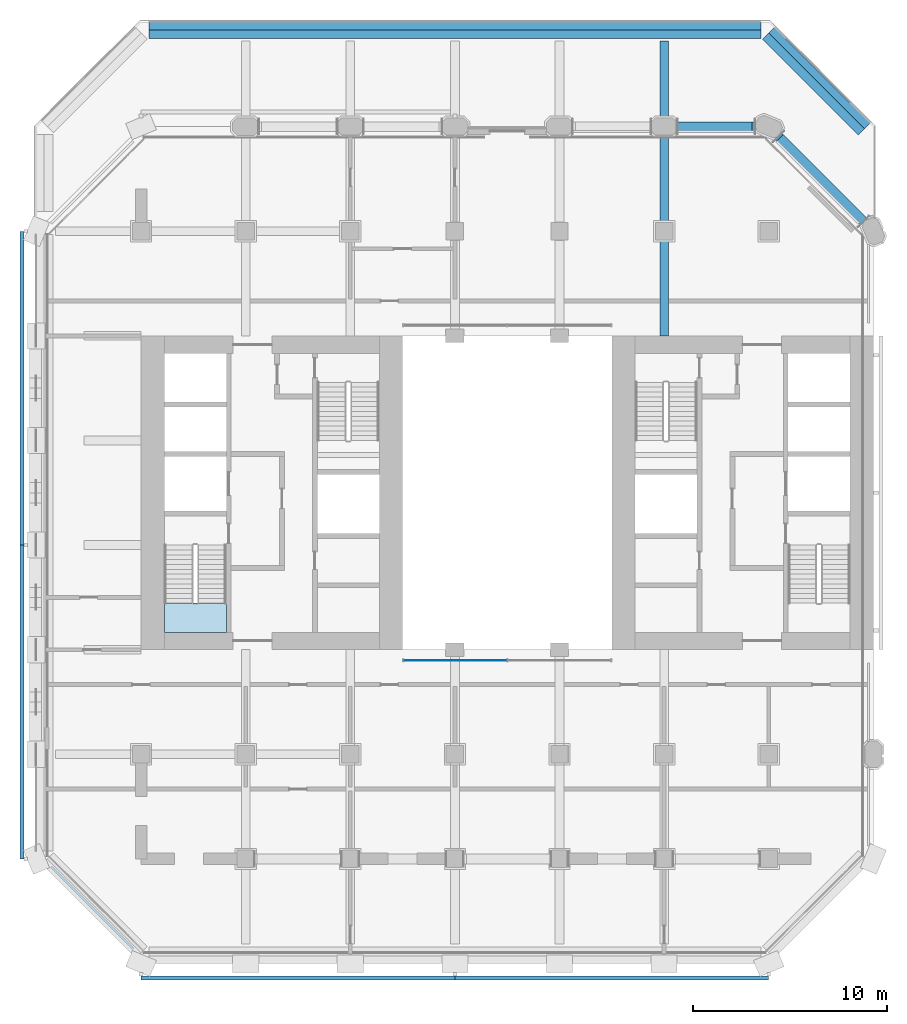
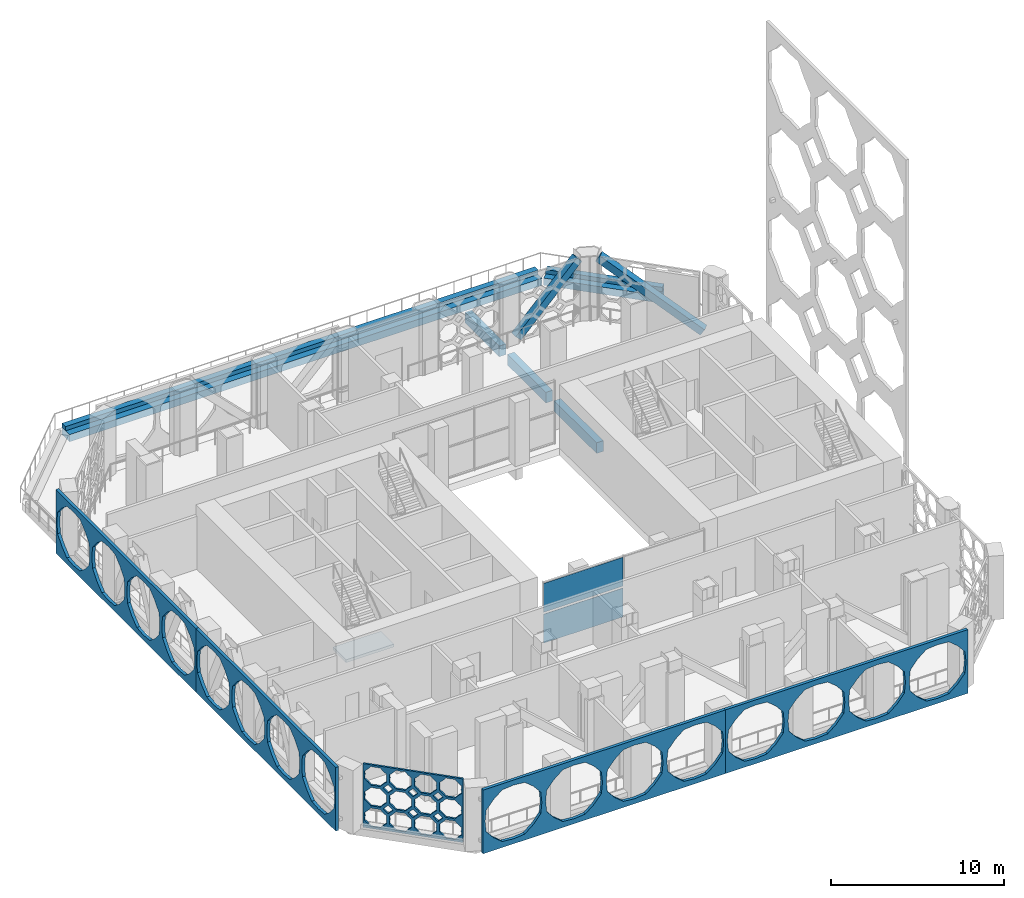
# One storey, part 5 of 17: 7 beams, 7 plates, 2 members, 1 slab, 2 elements without a shape of their own.
"""IFC4 building model written with IfcOpenShell, lengths in metres."""

from ifc_helpers import new_model, si_unit, direction, frame, origin, origin_2d, place, context, subcontext, project, spatial, polyline, rectangle, outline, extrude, material, layer, layer_set, material_profile, profile_set, type_object, element, aggregate, save


model = new_model("IFC4")

# Units and contexts
model_context = context("Model", 3, precision=1e-05, world=origin(), true_north=direction((0.0, 1.0)))
body_context = subcontext(model_context, "Body", "Model", "MODEL_VIEW")
ifc_project = project(units=[si_unit("LENGTHUNIT", "METRE"), si_unit("AREAUNIT", "SQUARE_METRE"), si_unit("VOLUMEUNIT", "CUBIC_METRE"), si_unit("PLANEANGLEUNIT", "RADIAN"), si_unit("MASSUNIT", "GRAM", prefix="KILO")], contexts=[model_context])

# Site, building, storey
site_placement = place(None, origin())
site = spatial("IfcSite", under=ifc_project, at=site_placement, CompositionType="ELEMENT")
building_placement = place(site_placement, origin())
building = spatial("IfcBuilding", under=site, at=building_placement, Name="Tabaq Tower and Sports Hall", CompositionType="ELEMENT")
storey_placement = place(building_placement, frame((0.0, 0.0, 125.800048828125)))
storey = spatial("IfcBuildingStorey", under=building, at=storey_placement, Name="L30", CompositionType="ELEMENT", Elevation=125.800048828125)

# Beams
ifc_material_1 = material(Name="Concrete C40/50", Category="concrete")
ifc_material_profile_1 = material_profile(ifc_material_1, rectangle(XDim=0.449951171875, YDim=0.75, at=origin_2d()), Name="CB 450x750")
ifc_profile_set_1 = profile_set([ifc_material_profile_1], Name="Concrete C40/50")
beam_type_1 = type_object("IfcBeamType", Name="PT CANTILEVER BEAM CB 450x750 C40/50", PredefinedType="BEAM", material=ifc_profile_set_1)
beam_1_placement = place(storey_placement, frame((32.39990234375, 47.625, -0.875), z_axis=(0.0, -1.0, 0.0), x_axis=(1.0, 0.0, 0.0)))
element("IfcBeam", 1, at=beam_1_placement, inside=storey, type_object=beam_type_1, Name="Cantilever Beam L30 N6 span 1", PredefinedType="BEAM", context=body_context, shape_type="SweptSolid", body=[
    extrude(rectangle(XDim=0.449951171875, YDim=0.75, at=origin_2d()), origin(), (0.0, 0.0, 1.0), 3.949951171875),
])
beam_2_placement = place(storey_placement, frame((32.39990234375, 42.72509765625, -0.875), z_axis=(0.0, -1.0, 0.0), x_axis=(1.0, 0.0, 0.0)))
element("IfcBeam", 2, at=beam_2_placement, inside=storey, type_object=beam_type_1, Name="Cantilever Beam L30 N6 span 2", PredefinedType="BEAM", context=body_context, shape_type="SweptSolid", body=[
    extrude(rectangle(XDim=0.449951171875, YDim=0.75, at=origin_2d()), origin(), (0.0, 0.0, 1.0), 4.4501953125),
])
beam_3_placement = place(storey_placement, frame((32.39990234375, 37.324951171875, -0.875), z_axis=(0.0, -1.0, 0.0), x_axis=(1.0, 0.0, 0.0)))
element("IfcBeam", 3, at=beam_3_placement, inside=storey, type_object=beam_type_1, Name="Cantilever Beam L30 N6 span 3", PredefinedType="BEAM", context=body_context, shape_type="SweptSolid", body=[
    extrude(rectangle(XDim=0.449951171875, YDim=0.75, at=origin_2d()), origin(), (0.0, 0.0, 1.0), 4.925048828125),
])
ifc_material_2 = material(Name="Concrete C40/50", Category="concrete")
ifc_material_profile_2 = material_profile(ifc_material_2, rectangle(XDim=0.85009765625, YDim=0.5, at=origin_2d()), Name="EB 850x500")
ifc_profile_set_2 = profile_set([ifc_material_profile_2], Name="Concrete C40/50")
beam_type_2 = type_object("IfcBeamType", Name="PT EDGE BEAM EB 850x500 C40/50", PredefinedType="SPANDREL", material=ifc_profile_set_2)
beam_4_placement = place(storey_placement, frame((42.72265625, 43.076171875, -0.25), z_axis=(-0.707106781187, 0.707106781187, 0.0), x_axis=(-0.707106781187, -0.707106781187, 0.0)))
element("IfcBeam", 4, at=beam_4_placement, inside=storey, type_object=beam_type_2, Name="Edge Beam L30 5", PredefinedType="SPANDREL", context=body_context, shape_type="SweptSolid", body=[
    extrude(rectangle(XDim=0.85009765625, YDim=0.5, at=origin_2d()), origin(), (0.0, 0.0, 1.0), 6.98486328125),
])
beam_5_placement = place(storey_placement, frame((37.39794921875, 48.175048828125, -0.25), z_axis=(-1.0, 0.0, 0.0), x_axis=(0.0, -1.0, 0.0)))
element("IfcBeam", 5, at=beam_5_placement, inside=storey, type_object=beam_type_2, Name="Edge Beam L30 6", PredefinedType="SPANDREL", context=body_context, shape_type="SweptSolid", body=[
    extrude(rectangle(XDim=0.85009765625, YDim=0.5, at=origin_2d()), origin(), (0.0, 0.0, 1.0), 31.595947265625),
])
ifc_material_3 = material(Name="Concrete C40/50", Category="concrete")
ifc_material_profile_3 = material_profile(ifc_material_3, rectangle(XDim=0.39990234375, YDim=0.300048828125, at=origin_2d()), Name="EU 400x300")
ifc_profile_set_3 = profile_set([ifc_material_profile_3], Name="Concrete C40/50")
beam_type_3 = type_object("IfcBeamType", Name="PT EDGE UPSTAND EU 400x300 C40/50", PredefinedType="BEAM", material=ifc_profile_set_3)
beam_6_placement = place(storey_placement, frame((42.8818359375, 43.2353515625, 0.14990234375), z_axis=(-0.707106781187, 0.707106781187, 0.0), x_axis=(-0.707106781187, -0.707106781187, 0.0)))
element("IfcBeam", 6, at=beam_6_placement, inside=storey, type_object=beam_type_3, Name="Edge Upstand L30 5", PredefinedType="BEAM", context=body_context, shape_type="SweptSolid", body=[
    extrude(rectangle(XDim=0.39990234375, YDim=0.300048828125, at=origin_2d()), origin(), (0.0, 0.0, 1.0), 6.98486328125),
])
beam_7_placement = place(storey_placement, frame((37.39794921875, 48.39990234375, 0.14990234375), z_axis=(-1.0, 0.0, 0.0), x_axis=(0.0, -1.0, 0.0)))
element("IfcBeam", 7, at=beam_7_placement, inside=storey, type_object=beam_type_3, Name="Edge Upstand L30 6", PredefinedType="BEAM", context=body_context, shape_type="SweptSolid", body=[
    extrude(rectangle(XDim=0.39990234375, YDim=0.300048828125, at=origin_2d()), origin(), (0.0, 0.0, 1.0), 31.595947265625),
])

# Members
ifc_material_4 = material(Name="Concrete C50/60", Category="concrete")
ifc_material_profile_4 = material_profile(ifc_material_4, rectangle(XDim=0.5, YDim=0.5, at=origin_2d()), Name="BELT STRUT 500x500")
ifc_profile_set_4 = profile_set([ifc_material_profile_4], Name="Concrete C50/60")
member_type = type_object("IfcMemberType", Name="RC BELT TRUSS STRUT BELT STRUT 500x500 C50/60", PredefinedType="BRACE", material=ifc_profile_set_4)
member_1_placement = place(storey_placement, frame((42.719482421875, 38.280517578125, 0.20947265625), z_axis=(-0.592854418204, 0.592854418204, 0.545020437811), x_axis=(-0.707106781187, -0.707106781187, 0.0)))
element("IfcMember", 8, at=member_1_placement, inside=storey, type_object=member_type, Name="Belt Truss Strut L30 1", PredefinedType="BRACE", context=body_context, shape_type="SweptSolid", body=[
    extrude(rectangle(XDim=0.5, YDim=0.5, at=origin_2d()), origin(), (0.0, 0.0, 1.0), 7.487548828125),
])
member_2_placement = place(storey_placement, frame((33.044921875, 43.199951171875, 0.175048828125), z_axis=(0.700697713396, 0.0, 0.713458277996), x_axis=(0.0, 1.0, 0.0)))
element("IfcMember", 9, at=member_2_placement, inside=storey, type_object=member_type, Name="Belt Truss Strut L30 2", PredefinedType="BRACE", context=body_context, shape_type="SweptSolid", body=[
    extrude(rectangle(XDim=0.5, YDim=0.5, at=origin_2d()), origin(), (0.0, 0.0, 1.0), 5.816162109375),
])

# Curtain wall, plates
ifc_material_5 = material(Name="Aluminium alloy 6063-T6 framed glazing", Category="aluminium")
curtain_wall_type = type_object("IfcCurtainWallType", Name="CW1 curtain wall", PredefinedType="USERDEFINED", material=ifc_material_5)
curtain_wall_placement = place(storey_placement, origin())
curtain_wall = element("IfcCurtainWall", 10, at=curtain_wall_placement, inside=storey, type_object=curtain_wall_type, Name="Atrium glazing L30 S", ObjectType="ATRIUM ENCLOSURE", PredefinedType="USERDEFINED")
ifc_material_6 = material(Name="Clear low-emissivity glass 28 mm", Category="glass")
ifc_layer_1 = layer(ifc_material_6, 0.028076171875)
ifc_layer_set_1 = layer_set([ifc_layer_1], Name="CW1 glass panel 28")
plate_type_1 = type_object("IfcPlateType", Name="CW1 glass panel 28", PredefinedType="CURTAIN_PANEL", material=ifc_layer_set_1)
plate_1_placement = place(storey_placement, frame((21.614990234375, 15.64990234375, 0.139892578125), z_axis=(0.0, 0.0, 1.0), x_axis=(1.0, 0.0, 0.0)))
plate_1 = element("IfcPlate", 11, at=plate_1_placement, type_object=plate_type_1, Name="CW1 panel 1.1", PredefinedType="CURTAIN_PANEL", context=body_context, shape_type="SweptSolid", body=[
    extrude(rectangle(XDim=5.31005859375, YDim=0.028076171875, at=origin_2d()), origin(), (0.0, 0.0, 1.0), 2.0400390625),
])
plate_2_placement = place(storey_placement, frame((21.614990234375, 15.64990234375, 2.31982421875), z_axis=(0.0, 0.0, 1.0), x_axis=(1.0, 0.0, 0.0)))
plate_2 = element("IfcPlate", 12, at=plate_2_placement, type_object=plate_type_1, Name="CW1 panel 1.2", PredefinedType="CURTAIN_PANEL", context=body_context, shape_type="SweptSolid", body=[
    extrude(rectangle(XDim=5.31005859375, YDim=0.028076171875, at=origin_2d()), origin(), (0.0, 0.0, 1.0), 2.0400390625),
])
aggregate(curtain_wall, [plate_1, plate_2])

# Stair, slab
ifc_material_7 = material(Name="Concrete C40/50", Category="concrete")
stair_type = type_object("IfcStairType", Name="Exit stair", PredefinedType="HALF_TURN_STAIR", material=ifc_material_7)
stair_placement = place(storey_placement, origin())
stair = element("IfcStair", 13, at=stair_placement, inside=storey, type_object=stair_type, Name="L30 Exit stair ST1", PredefinedType="HALF_TURN_STAIR")
ifc_material_8 = material(Name="Concrete C40/50", Category="concrete")
ifc_layer_2 = layer(ifc_material_8, 0.199951171875)
ifc_layer_set_2 = layer_set([ifc_layer_2], Name="Exit stair landing")
slab_type = type_object("IfcSlabType", Name="Exit stair landing", PredefinedType="LANDING", material=ifc_layer_set_2)
slab_placement = place(storey_placement, frame((0.0, 0.0, 2.199951171875)))
slab = element("IfcSlab", 14, at=slab_placement, type_object=slab_type, Name="ST1 landing 1", PredefinedType="LANDING", context=body_context, shape_type="SweptSolid", body=[
    extrude(outline(polyline([(6.60009765625, 18.60009765625), (6.60009765625, 17.10009765625), (9.800048828125, 17.10009765625), (9.800048828125, 18.60009765625), (6.60009765625, 18.60009765625)])), origin(), (0.0, 0.0, 1.0), 0.199951171875),
])
aggregate(stair, [slab])

# Plates
ifc_material_9 = material(Name="White precast concrete C60/75 pierced screen", Category="concrete")
ifc_layer_3 = layer(ifc_material_9, 0.199951171875)
ifc_layer_set_3 = layer_set([ifc_layer_3], Name="White precast concrete C60/75 girih screen 200")
plate_type_2 = type_object("IfcPlateType", Name="White precast concrete C60/75 girih screen 200", PredefinedType="USERDEFINED", material=ifc_layer_set_3)
plate_3_placement = place(storey_placement, frame((5.39990234375, -0.75, 0.0), z_axis=(0.0, 0.0, 1.0), x_axis=(1.0, 0.0, 0.0)))
element("IfcPlate", 15, at=plate_3_placement, inside=storey, type_object=plate_type_2, Name="Girih screen L30 S", ObjectType="SCREEN", PredefinedType="USERDEFINED", context=body_context, shape_type="SweptSolid", body=[
    extrude(outline(polyline([(0.0, 0.0), (16.2001953125, 0.0), (16.2001953125, 4.5), (0.0, 4.5), (0.0, 0.0)]), holes=[polyline([(3.85107421875, 3.00634765625), (3.36669921875, 3.591552734375), (2.78125, 4.075927734375), (2.02490234375, 4.147216796875), (1.2685546875, 4.075927734375), (0.683349609375, 3.591552734375), (0.198974609375, 3.00634765625), (0.127685546875, 2.25), (0.198974609375, 1.49365234375), (0.683349609375, 0.908447265625), (1.2685546875, 0.424072265625), (2.02490234375, 0.3525390625), (2.78125, 0.424072265625), (3.36669921875, 0.908447265625), (3.85107421875, 1.49365234375), (3.92236328125, 2.25), (3.85107421875, 3.00634765625)]), polyline([(7.90087890625, 3.00634765625), (7.41650390625, 3.591552734375), (6.831298828125, 4.075927734375), (6.074951171875, 4.147216796875), (5.318603515625, 4.075927734375), (4.7333984375, 3.591552734375), (4.2490234375, 3.00634765625), (4.177734375, 2.25), (4.2490234375, 1.49365234375), (4.7333984375, 0.908447265625), (5.318603515625, 0.424072265625), (6.074951171875, 0.3525390625), (6.831298828125, 0.424072265625), (7.41650390625, 0.908447265625), (7.90087890625, 1.49365234375), (7.972412109375, 2.25), (7.90087890625, 3.00634765625)]), polyline([(11.950927734375, 3.00634765625), (11.466552734375, 3.591552734375), (10.88134765625, 4.075927734375), (10.125, 4.147216796875), (9.36865234375, 4.075927734375), (8.783447265625, 3.591552734375), (8.299072265625, 3.00634765625), (8.2275390625, 2.25), (8.299072265625, 1.49365234375), (8.783447265625, 0.908447265625), (9.36865234375, 0.424072265625), (10.125, 0.3525390625), (10.88134765625, 0.424072265625), (11.466552734375, 0.908447265625), (11.950927734375, 1.49365234375), (12.0224609375, 2.25), (11.950927734375, 3.00634765625)]), polyline([(16.0009765625, 3.00634765625), (15.5166015625, 3.591552734375), (14.931396484375, 4.075927734375), (14.175048828125, 4.147216796875), (13.418701171875, 4.075927734375), (12.83349609375, 3.591552734375), (12.34912109375, 3.00634765625), (12.277587890625, 2.25), (12.34912109375, 1.49365234375), (12.83349609375, 0.908447265625), (13.418701171875, 0.424072265625), (14.175048828125, 0.3525390625), (14.931396484375, 0.424072265625), (15.5166015625, 0.908447265625), (16.0009765625, 1.49365234375), (16.072265625, 2.25), (16.0009765625, 3.00634765625)])]), frame((0.0, 0.10009765625, 0.0), z_axis=(0.0, -1.0, 0.0), x_axis=(1.0, 0.0, 0.0)), (0.0, 0.0, 1.0), 0.199951171875),
])
plate_4_placement = place(storey_placement, frame((21.60009765625, -0.75, 0.0), z_axis=(0.0, 0.0, 1.0), x_axis=(1.0, 0.0, 0.0)))
element("IfcPlate", 16, at=plate_4_placement, inside=storey, type_object=plate_type_2, Name="Girih screen L30 S", ObjectType="SCREEN", PredefinedType="USERDEFINED", context=body_context, shape_type="SweptSolid", body=[
    extrude(outline(polyline([(0.0, 0.0), (16.199951171875, 0.0), (16.199951171875, 4.5), (0.0, 4.5), (0.0, 0.0)]), holes=[polyline([(3.85107421875, 3.00634765625), (3.36669921875, 3.591552734375), (2.78125, 4.075927734375), (2.02490234375, 4.147216796875), (1.2685546875, 4.075927734375), (0.683349609375, 3.591552734375), (0.198974609375, 3.00634765625), (0.127685546875, 2.25), (0.198974609375, 1.49365234375), (0.683349609375, 0.908447265625), (1.2685546875, 0.424072265625), (2.02490234375, 0.3525390625), (2.78125, 0.424072265625), (3.36669921875, 0.908447265625), (3.85107421875, 1.49365234375), (3.92236328125, 2.25), (3.85107421875, 3.00634765625)]), polyline([(7.90087890625, 3.00634765625), (7.41650390625, 3.591552734375), (6.831298828125, 4.075927734375), (6.074951171875, 4.147216796875), (5.318603515625, 4.075927734375), (4.7333984375, 3.591552734375), (4.2490234375, 3.00634765625), (4.177734375, 2.25), (4.2490234375, 1.49365234375), (4.7333984375, 0.908447265625), (5.318603515625, 0.424072265625), (6.074951171875, 0.3525390625), (6.831298828125, 0.424072265625), (7.41650390625, 0.908447265625), (7.90087890625, 1.49365234375), (7.972412109375, 2.25), (7.90087890625, 3.00634765625)]), polyline([(11.950927734375, 3.00634765625), (11.466552734375, 3.591552734375), (10.88134765625, 4.075927734375), (10.125, 4.147216796875), (9.36865234375, 4.075927734375), (8.783447265625, 3.591552734375), (8.299072265625, 3.00634765625), (8.2275390625, 2.25), (8.299072265625, 1.49365234375), (8.783447265625, 0.908447265625), (9.36865234375, 0.424072265625), (10.125, 0.3525390625), (10.88134765625, 0.424072265625), (11.466552734375, 0.908447265625), (11.950927734375, 1.49365234375), (12.0224609375, 2.25), (11.950927734375, 3.00634765625)]), polyline([(16.0009765625, 3.00634765625), (15.5166015625, 3.591552734375), (14.931396484375, 4.075927734375), (14.175048828125, 4.147216796875), (13.418701171875, 4.075927734375), (12.83349609375, 3.591552734375), (12.34912109375, 3.00634765625), (12.277587890625, 2.25), (12.34912109375, 1.49365234375), (12.83349609375, 0.908447265625), (13.418701171875, 0.424072265625), (14.175048828125, 0.3525390625), (14.931396484375, 0.424072265625), (15.5166015625, 0.908447265625), (16.0009765625, 1.49365234375), (16.072265625, 2.25), (16.0009765625, 3.00634765625)])]), frame((0.0, 0.10009765625, 0.0), z_axis=(0.0, -1.0, 0.0), x_axis=(1.0, 0.0, 0.0)), (0.0, 0.0, 1.0), 0.199951171875),
])
plate_5_placement = place(storey_placement, frame((-0.75, 37.800048828125, 0.0), z_axis=(0.0, 0.0, 1.0), x_axis=(0.0, -1.0, 0.0)))
element("IfcPlate", 17, at=plate_5_placement, inside=storey, type_object=plate_type_2, Name="Girih screen L30 W", ObjectType="SCREEN", PredefinedType="USERDEFINED", context=body_context, shape_type="SweptSolid", body=[
    extrude(outline(polyline([(0.0, 0.0), (16.199951171875, 0.0), (16.199951171875, 4.5), (0.0, 4.5), (0.0, 0.0)]), holes=[polyline([(3.85107421875, 3.00634765625), (3.36669921875, 3.591552734375), (2.78125, 4.075927734375), (2.02490234375, 4.147216796875), (1.2685546875, 4.075927734375), (0.683349609375, 3.591552734375), (0.198974609375, 3.00634765625), (0.127685546875, 2.25), (0.198974609375, 1.49365234375), (0.683349609375, 0.908447265625), (1.2685546875, 0.424072265625), (2.02490234375, 0.3525390625), (2.78125, 0.424072265625), (3.36669921875, 0.908447265625), (3.85107421875, 1.49365234375), (3.92236328125, 2.25), (3.85107421875, 3.00634765625)]), polyline([(7.90087890625, 3.00634765625), (7.41650390625, 3.591552734375), (6.831298828125, 4.075927734375), (6.074951171875, 4.147216796875), (5.318603515625, 4.075927734375), (4.7333984375, 3.591552734375), (4.2490234375, 3.00634765625), (4.177734375, 2.25), (4.2490234375, 1.49365234375), (4.7333984375, 0.908447265625), (5.318603515625, 0.424072265625), (6.074951171875, 0.3525390625), (6.831298828125, 0.424072265625), (7.41650390625, 0.908447265625), (7.90087890625, 1.49365234375), (7.972412109375, 2.25), (7.90087890625, 3.00634765625)]), polyline([(11.950927734375, 3.00634765625), (11.466552734375, 3.591552734375), (10.88134765625, 4.075927734375), (10.125, 4.147216796875), (9.36865234375, 4.075927734375), (8.783447265625, 3.591552734375), (8.299072265625, 3.00634765625), (8.2275390625, 2.25), (8.299072265625, 1.49365234375), (8.783447265625, 0.908447265625), (9.36865234375, 0.424072265625), (10.125, 0.3525390625), (10.88134765625, 0.424072265625), (11.466552734375, 0.908447265625), (11.950927734375, 1.49365234375), (12.0224609375, 2.25), (11.950927734375, 3.00634765625)]), polyline([(16.0009765625, 3.00634765625), (15.5166015625, 3.591552734375), (14.931396484375, 4.075927734375), (14.175048828125, 4.147216796875), (13.418701171875, 4.075927734375), (12.83349609375, 3.591552734375), (12.34912109375, 3.00634765625), (12.277587890625, 2.25), (12.34912109375, 1.49365234375), (12.83349609375, 0.908447265625), (13.418701171875, 0.424072265625), (14.175048828125, 0.3525390625), (14.931396484375, 0.424072265625), (15.5166015625, 0.908447265625), (16.0009765625, 1.49365234375), (16.072265625, 2.25), (16.0009765625, 3.00634765625)])]), frame((0.0, 0.10009765625, 0.0), z_axis=(0.0, -1.0, 0.0), x_axis=(1.0, 0.0, 0.0)), (0.0, 0.0, 1.0), 0.199951171875),
])
plate_6_placement = place(storey_placement, frame((-0.75, 21.60009765625, 0.0), z_axis=(0.0, 0.0, 1.0), x_axis=(0.0, -1.0, 0.0)))
element("IfcPlate", 18, at=plate_6_placement, inside=storey, type_object=plate_type_2, Name="Girih screen L30 W", ObjectType="SCREEN", PredefinedType="USERDEFINED", context=body_context, shape_type="SweptSolid", body=[
    extrude(outline(polyline([(0.0, 0.0), (16.2001953125, 0.0), (16.2001953125, 4.5), (0.0, 4.5), (0.0, 0.0)]), holes=[polyline([(3.85107421875, 3.00634765625), (3.36669921875, 3.591552734375), (2.78125, 4.075927734375), (2.02490234375, 4.147216796875), (1.2685546875, 4.075927734375), (0.683349609375, 3.591552734375), (0.198974609375, 3.00634765625), (0.127685546875, 2.25), (0.198974609375, 1.49365234375), (0.683349609375, 0.908447265625), (1.2685546875, 0.424072265625), (2.02490234375, 0.3525390625), (2.78125, 0.424072265625), (3.36669921875, 0.908447265625), (3.85107421875, 1.49365234375), (3.92236328125, 2.25), (3.85107421875, 3.00634765625)]), polyline([(7.90087890625, 3.00634765625), (7.41650390625, 3.591552734375), (6.831298828125, 4.075927734375), (6.074951171875, 4.147216796875), (5.318603515625, 4.075927734375), (4.7333984375, 3.591552734375), (4.2490234375, 3.00634765625), (4.177734375, 2.25), (4.2490234375, 1.49365234375), (4.7333984375, 0.908447265625), (5.318603515625, 0.424072265625), (6.074951171875, 0.3525390625), (6.831298828125, 0.424072265625), (7.41650390625, 0.908447265625), (7.90087890625, 1.49365234375), (7.972412109375, 2.25), (7.90087890625, 3.00634765625)]), polyline([(11.950927734375, 3.00634765625), (11.466552734375, 3.591552734375), (10.88134765625, 4.075927734375), (10.125, 4.147216796875), (9.36865234375, 4.075927734375), (8.783447265625, 3.591552734375), (8.299072265625, 3.00634765625), (8.2275390625, 2.25), (8.299072265625, 1.49365234375), (8.783447265625, 0.908447265625), (9.36865234375, 0.424072265625), (10.125, 0.3525390625), (10.88134765625, 0.424072265625), (11.466552734375, 0.908447265625), (11.950927734375, 1.49365234375), (12.0224609375, 2.25), (11.950927734375, 3.00634765625)]), polyline([(16.0009765625, 3.00634765625), (15.5166015625, 3.591552734375), (14.931396484375, 4.075927734375), (14.175048828125, 4.147216796875), (13.418701171875, 4.075927734375), (12.83349609375, 3.591552734375), (12.34912109375, 3.00634765625), (12.277587890625, 2.25), (12.34912109375, 1.49365234375), (12.83349609375, 0.908447265625), (13.418701171875, 0.424072265625), (14.175048828125, 0.3525390625), (14.931396484375, 0.424072265625), (15.5166015625, 0.908447265625), (16.0009765625, 1.49365234375), (16.072265625, 2.25), (16.0009765625, 3.00634765625)])]), frame((0.0, 0.10009765625, 0.0), z_axis=(0.0, -1.0, 0.0), x_axis=(1.0, 0.0, 0.0)), (0.0, 0.0, 1.0), 0.199951171875),
])
ifc_material_10 = material(Name="White precast concrete C60/75 pierced screen", Category="concrete")
ifc_layer_4 = layer(ifc_material_10, 0.1201171875)
ifc_layer_set_4 = layer_set([ifc_layer_4], Name="White precast concrete C60/75 screen 120")
plate_type_3 = type_object("IfcPlateType", Name="White precast concrete C60/75 screen 120", PredefinedType="USERDEFINED", material=ifc_layer_set_4)
plate_7_placement = place(storey_placement, frame((0.76025390625, 4.993408203125, 0.0), z_axis=(0.0, 0.0, 1.0), x_axis=(0.707106781187, -0.707106781187, 0.0)))
element("IfcPlate", 19, at=plate_7_placement, inside=storey, type_object=plate_type_3, Name="Pierced screen L30 SW", ObjectType="SCREEN", PredefinedType="USERDEFINED", context=body_context, shape_type="SweptSolid", body=[
    extrude(outline(polyline([(0.0, 0.0), (5.986572265625, 0.0), (5.986572265625, 4.5), (0.0, 4.5), (0.0, 0.0)]), holes=[polyline([(1.40966796875, 1.05712890625), (1.203857421875, 1.23876953125), (1.022216796875, 1.444580078125), (0.748291015625, 1.427490234375), (0.474365234375, 1.444580078125), (0.29296875, 1.23876953125), (0.087158203125, 1.05712890625), (0.104248046875, 0.783203125), (0.087158203125, 0.50927734375), (0.29296875, 0.327880859375), (0.474365234375, 0.1220703125), (0.748291015625, 0.13916015625), (1.022216796875, 0.1220703125), (1.203857421875, 0.327880859375), (1.40966796875, 0.50927734375), (1.392578125, 0.783203125), (1.40966796875, 1.05712890625)]), polyline([(1.40966796875, 2.52392578125), (1.203857421875, 2.705322265625), (1.022216796875, 2.9111328125), (0.748291015625, 2.89404296875), (0.474365234375, 2.9111328125), (0.29296875, 2.705322265625), (0.087158203125, 2.52392578125), (0.104248046875, 2.25), (0.087158203125, 1.97607421875), (0.29296875, 1.79443359375), (0.474365234375, 1.588623046875), (0.748291015625, 1.605712890625), (1.022216796875, 1.588623046875), (1.203857421875, 1.79443359375), (1.40966796875, 1.97607421875), (1.392578125, 2.25), (1.40966796875, 2.52392578125)]), polyline([(1.40966796875, 3.990478515625), (1.203857421875, 4.172119140625), (1.022216796875, 4.3779296875), (0.748291015625, 4.36083984375), (0.474365234375, 4.3779296875), (0.29296875, 4.172119140625), (0.087158203125, 3.990478515625), (0.104248046875, 3.716552734375), (0.087158203125, 3.442626953125), (0.29296875, 3.26123046875), (0.474365234375, 3.055419921875), (0.748291015625, 3.072509765625), (1.022216796875, 3.055419921875), (1.203857421875, 3.26123046875), (1.40966796875, 3.442626953125), (1.392578125, 3.716552734375), (1.40966796875, 3.990478515625)]), polyline([(2.90625, 1.05712890625), (2.700439453125, 1.23876953125), (2.51904296875, 1.444580078125), (2.2451171875, 1.427490234375), (1.97119140625, 1.444580078125), (1.78955078125, 1.23876953125), (1.583740234375, 1.05712890625), (1.600830078125, 0.783203125), (1.583740234375, 0.50927734375), (1.78955078125, 0.327880859375), (1.97119140625, 0.1220703125), (2.2451171875, 0.13916015625), (2.51904296875, 0.1220703125), (2.700439453125, 0.327880859375), (2.90625, 0.50927734375), (2.88916015625, 0.783203125), (2.90625, 1.05712890625)]), polyline([(2.90625, 2.52392578125), (2.700439453125, 2.705322265625), (2.51904296875, 2.9111328125), (2.2451171875, 2.89404296875), (1.97119140625, 2.9111328125), (1.78955078125, 2.705322265625), (1.583740234375, 2.52392578125), (1.600830078125, 2.25), (1.583740234375, 1.97607421875), (1.78955078125, 1.79443359375), (1.97119140625, 1.588623046875), (2.2451171875, 1.605712890625), (2.51904296875, 1.588623046875), (2.700439453125, 1.79443359375), (2.90625, 1.97607421875), (2.88916015625, 2.25), (2.90625, 2.52392578125)]), polyline([(2.90625, 3.990478515625), (2.700439453125, 4.172119140625), (2.51904296875, 4.3779296875), (2.2451171875, 4.36083984375), (1.97119140625, 4.3779296875), (1.78955078125, 4.172119140625), (1.583740234375, 3.990478515625), (1.600830078125, 3.716552734375), (1.583740234375, 3.442626953125), (1.78955078125, 3.26123046875), (1.97119140625, 3.055419921875), (2.2451171875, 3.072509765625), (2.51904296875, 3.055419921875), (2.700439453125, 3.26123046875), (2.90625, 3.442626953125), (2.88916015625, 3.716552734375), (2.90625, 3.990478515625)]), polyline([(4.403076171875, 1.05712890625), (4.197265625, 1.23876953125), (4.015625, 1.444580078125), (3.74169921875, 1.427490234375), (3.4677734375, 1.444580078125), (3.2861328125, 1.23876953125), (3.08056640625, 1.05712890625), (3.09765625, 0.783203125), (3.08056640625, 0.50927734375), (3.2861328125, 0.327880859375), (3.4677734375, 0.1220703125), (3.74169921875, 0.13916015625), (4.015625, 0.1220703125), (4.197265625, 0.327880859375), (4.403076171875, 0.50927734375), (4.385986328125, 0.783203125), (4.403076171875, 1.05712890625)]), polyline([(4.403076171875, 2.52392578125), (4.197265625, 2.705322265625), (4.015625, 2.9111328125), (3.74169921875, 2.89404296875), (3.4677734375, 2.9111328125), (3.2861328125, 2.705322265625), (3.08056640625, 2.52392578125), (3.09765625, 2.25), (3.08056640625, 1.97607421875), (3.2861328125, 1.79443359375), (3.4677734375, 1.588623046875), (3.74169921875, 1.605712890625), (4.015625, 1.588623046875), (4.197265625, 1.79443359375), (4.403076171875, 1.97607421875), (4.385986328125, 2.25), (4.403076171875, 2.52392578125)]), polyline([(4.403076171875, 3.990478515625), (4.197265625, 4.172119140625), (4.015625, 4.3779296875), (3.74169921875, 4.36083984375), (3.4677734375, 4.3779296875), (3.2861328125, 4.172119140625), (3.08056640625, 3.990478515625), (3.09765625, 3.716552734375), (3.08056640625, 3.442626953125), (3.2861328125, 3.26123046875), (3.4677734375, 3.055419921875), (3.74169921875, 3.072509765625), (4.015625, 3.055419921875), (4.197265625, 3.26123046875), (4.403076171875, 3.442626953125), (4.385986328125, 3.716552734375), (4.403076171875, 3.990478515625)]), polyline([(5.899658203125, 1.05712890625), (5.69384765625, 1.23876953125), (5.51220703125, 1.444580078125), (5.238525390625, 1.427490234375), (4.964599609375, 1.444580078125), (4.782958984375, 1.23876953125), (4.5771484375, 1.05712890625), (4.59423828125, 0.783203125), (4.5771484375, 0.50927734375), (4.782958984375, 0.327880859375), (4.964599609375, 0.1220703125), (5.238525390625, 0.13916015625), (5.51220703125, 0.1220703125), (5.69384765625, 0.327880859375), (5.899658203125, 0.50927734375), (5.882568359375, 0.783203125), (5.899658203125, 1.05712890625)]), polyline([(5.899658203125, 2.52392578125), (5.69384765625, 2.705322265625), (5.51220703125, 2.9111328125), (5.238525390625, 2.89404296875), (4.964599609375, 2.9111328125), (4.782958984375, 2.705322265625), (4.5771484375, 2.52392578125), (4.59423828125, 2.25), (4.5771484375, 1.97607421875), (4.782958984375, 1.79443359375), (4.964599609375, 1.588623046875), (5.238525390625, 1.605712890625), (5.51220703125, 1.588623046875), (5.69384765625, 1.79443359375), (5.899658203125, 1.97607421875), (5.882568359375, 2.25), (5.899658203125, 2.52392578125)]), polyline([(5.899658203125, 3.990478515625), (5.69384765625, 4.172119140625), (5.51220703125, 4.3779296875), (5.238525390625, 4.36083984375), (4.964599609375, 4.3779296875), (4.782958984375, 4.172119140625), (4.5771484375, 3.990478515625), (4.59423828125, 3.716552734375), (4.5771484375, 3.442626953125), (4.782958984375, 3.26123046875), (4.964599609375, 3.055419921875), (5.238525390625, 3.072509765625), (5.51220703125, 3.055419921875), (5.69384765625, 3.26123046875), (5.899658203125, 3.442626953125), (5.882568359375, 3.716552734375), (5.899658203125, 3.990478515625)]), polyline([(1.7900390625, 1.5166015625), (1.49658203125, 1.81005859375), (1.203369140625, 1.5166015625), (1.49658203125, 1.223388671875), (1.7900390625, 1.5166015625)]), polyline([(1.7900390625, 2.9833984375), (1.49658203125, 3.276611328125), (1.203369140625, 2.9833984375), (1.49658203125, 2.68994140625), (1.7900390625, 2.9833984375)]), polyline([(3.28662109375, 1.5166015625), (2.993408203125, 1.81005859375), (2.699951171875, 1.5166015625), (2.993408203125, 1.223388671875), (3.28662109375, 1.5166015625)]), polyline([(3.28662109375, 2.9833984375), (2.993408203125, 3.276611328125), (2.699951171875, 2.9833984375), (2.993408203125, 2.68994140625), (3.28662109375, 2.9833984375)]), polyline([(4.783447265625, 1.5166015625), (4.489990234375, 1.81005859375), (4.19677734375, 1.5166015625), (4.489990234375, 1.223388671875), (4.783447265625, 1.5166015625)]), polyline([(4.783447265625, 2.9833984375), (4.489990234375, 3.276611328125), (4.19677734375, 2.9833984375), (4.489990234375, 2.68994140625), (4.783447265625, 2.9833984375)])]), frame((0.0, 0.06005859375, 0.0), z_axis=(0.0, -1.0, 0.0), x_axis=(1.0, 0.0, 0.0)), (0.0, 0.0, 1.0), 0.1201171875),
])

save(model, "model.ifc")
